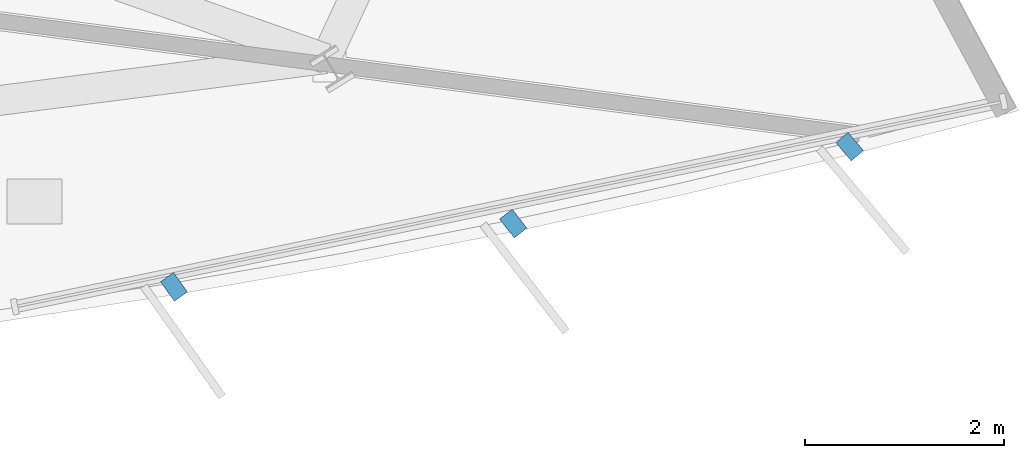
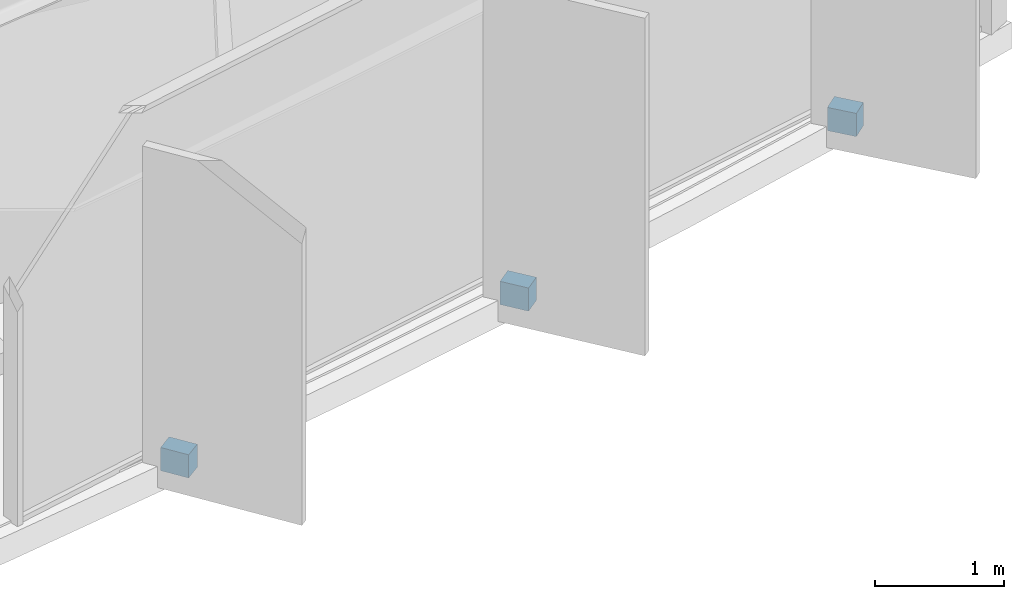
# One storey, part 9 of 13: 3 discrete accessories.
"""IFC4 building model written with IfcOpenShell, lengths in metres."""

from ifc_helpers import new_model, si_unit, direction, frame, origin, origin_2d, place, context, subcontext, project, spatial, rectangle, extrude, material, type_object, element, save


model = new_model("IFC4")

# Units and contexts
model_context = context("Model", 3, precision=1e-05, world=origin(), true_north=direction((0.0, 1.0)))
body_context = subcontext(model_context, "Body", "Model", "MODEL_VIEW")
ifc_project = project(units=[si_unit("LENGTHUNIT", "METRE"), si_unit("AREAUNIT", "SQUARE_METRE"), si_unit("VOLUMEUNIT", "CUBIC_METRE"), si_unit("PLANEANGLEUNIT", "RADIAN"), si_unit("MASSUNIT", "GRAM", prefix="KILO")], contexts=[model_context])

# Site, building, storey
site_placement = place(None, origin())
site = spatial("IfcSite", under=ifc_project, at=site_placement, CompositionType="ELEMENT")
building_placement = place(site_placement, origin())
building = spatial("IfcBuilding", under=site, at=building_placement, Name="Savorim Split Tower", CompositionType="ELEMENT")
storey_placement = place(building_placement, frame((0.0, 0.0, 276.0)))
storey = spatial("IfcBuildingStorey", under=building, at=storey_placement, Name="L73", CompositionType="ELEMENT", Elevation=276.0)

# Discrete accessories
ifc_material = material(Name="Steel S355", Category="steel")
discrete_accessory_type = type_object("IfcDiscreteAccessoryType", Name="ACC-BRK-FIN", PredefinedType="BRACKET", material=ifc_material)
for number, where, z_axis, x_axis, name in (
    (1, (13.8076171875, -14.376220703125, -0.18994140625), (0.0, 0.0, 1.0), (0.578993757737, -0.815331974414, 0.0), "L73 Fin Slab-Edge Cleat Bracket 11"),
    (2, (17.216064453125, -13.7412109375, -0.18994140625), (0.0, 0.0, 1.0), (0.611868076908, -0.790959832394, 0.0), "L73 Fin Slab-Edge Cleat Bracket 12"),
    (3, (20.595703125, -12.967529296875, -0.18994140625), (0.0, 0.0, 1.0), (0.643719022682, -0.765261928909, 0.0), "L73 Fin Slab-Edge Cleat Bracket 13"),
):
    element("IfcDiscreteAccessory", number, at=place(storey_placement, frame(where, z_axis=z_axis, x_axis=x_axis)), inside=storey, type_object=discrete_accessory_type, Name=name, PredefinedType="BRACKET", context=body_context, shape_type="SweptSolid", body=[
        extrude(rectangle(XDim=0.239990234375, YDim=0.159912109375, at=origin_2d()), origin(), (0.0, 0.0, 1.0), 0.219970703125),
    ])

save(model, "model.ifc")
